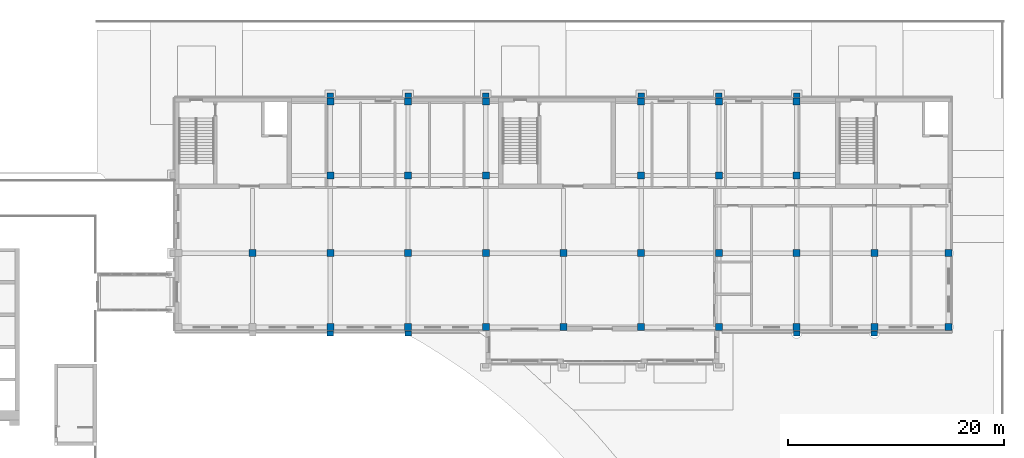
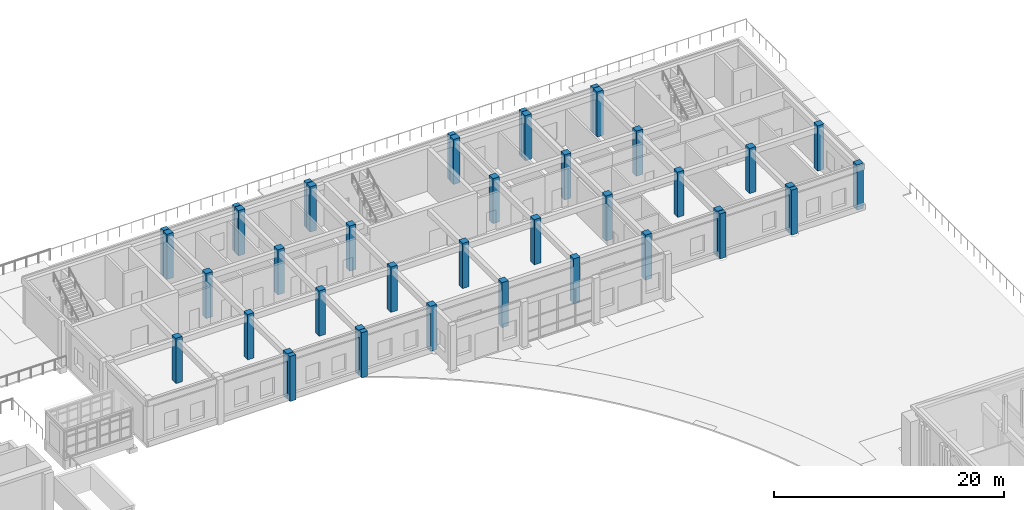
# One storey, part 31 of 131: 41 columns.
"""IFC4 building model written with IfcOpenShell, lengths in metres."""

from ifc_helpers import new_model, si_unit, direction, frame, origin, origin_2d, place, context, subcontext, project, spatial, rectangle, extrude, material, material_profile, profile_set, type_object, element, save


model = new_model("IFC4")

# Units and contexts
model_context = context("Model", 3, precision=1e-05, world=origin(), true_north=direction((0.0, 1.0)))
body_context = subcontext(model_context, "Body", "Model", "MODEL_VIEW")
ifc_project = project(units=[si_unit("LENGTHUNIT", "METRE"), si_unit("AREAUNIT", "SQUARE_METRE"), si_unit("VOLUMEUNIT", "CUBIC_METRE"), si_unit("PLANEANGLEUNIT", "RADIAN"), si_unit("MASSUNIT", "GRAM", prefix="KILO")], contexts=[model_context])

# Site, building, storey
site_placement = place(None, origin())
site = spatial("IfcSite", under=ifc_project, at=site_placement, CompositionType="ELEMENT")
building_placement = place(site_placement, origin())
building = spatial("IfcBuilding", under=site, at=building_placement, Name="Alderwick Market Hall", CompositionType="ELEMENT")
storey_placement = place(building_placement, frame((0.0, 0.0, 4.800048828125)))
storey = spatial("IfcBuildingStorey", under=building, at=storey_placement, Name="L00", CompositionType="ELEMENT", Elevation=4.800048828125)

# Columns
ifc_material = material(Name="Concrete 5000 psi (f'c 35 MPa)", Category="concrete")
ifc_material_profile_1 = material_profile(ifc_material, rectangle(XDim=0.64990234375, YDim=0.64990234375, at=origin_2d()), Name="RC 650x650")
ifc_profile_set_1 = profile_set([ifc_material_profile_1], Name="Concrete 5000 psi (f'c 35 MPa)")
column_type_1 = type_object("IfcColumnType", Name="F Column RC 650x650", PredefinedType="COLUMN", material=ifc_profile_set_1)
for number, where, z_axis, x_axis, name in (
    (1, (172.800048828125, 129.949951171875, 0.0), (0.0, 0.0, 1.0), (1.0, 0.0, 0.0), "F.col.L00.03"),
    (2, (180.0, 129.949951171875, 0.0), (0.0, 0.0, 1.0), (1.0, 0.0, 0.0), "F.col.L00.04"),
    (3, (187.199951171875, 129.949951171875, 0.0), (0.0, 0.0, 1.0), (1.0, 0.0, 0.0), "F.col.L00.05"),
    (4, (194.39990234375, 129.949951171875, 0.0), (0.0, 0.0, 1.0), (1.0, 0.0, 0.0), "F.col.L00.06"),
    (5, (201.60009765625, 129.949951171875, 0.0), (0.0, 0.0, 1.0), (1.0, 0.0, 0.0), "F.col.L00.07"),
    (6, (208.800048828125, 129.949951171875, 0.0), (0.0, 0.0, 1.0), (1.0, 0.0, 0.0), "F.col.L00.08"),
    (7, (216.0, 129.949951171875, 0.0), (0.0, 0.0, 1.0), (1.0, 0.0, 0.0), "F.col.L00.09"),
    (8, (223.199951171875, 129.949951171875, 0.0), (0.0, 0.0, 1.0), (1.0, 0.0, 0.0), "F.col.L00.10"),
    (9, (230.050048828125, 129.949951171875, 0.0), (0.0, 0.0, 1.0), (1.0, 0.0, 0.0), "F.col.L00.11"),
    (10, (165.60009765625, 136.800048828125, 0.0), (0.0, 0.0, 1.0), (1.0, 0.0, 0.0), "F.col.L00.13"),
    (11, (172.800048828125, 136.800048828125, 0.0), (0.0, 0.0, 1.0), (1.0, 0.0, 0.0), "F.col.L00.14"),
    (12, (180.0, 136.800048828125, 0.0), (0.0, 0.0, 1.0), (1.0, 0.0, 0.0), "F.col.L00.15"),
    (13, (187.199951171875, 136.800048828125, 0.0), (0.0, 0.0, 1.0), (1.0, 0.0, 0.0), "F.col.L00.16"),
    (14, (194.39990234375, 136.800048828125, 0.0), (0.0, 0.0, 1.0), (1.0, 0.0, 0.0), "F.col.L00.17"),
    (15, (201.60009765625, 136.800048828125, 0.0), (0.0, 0.0, 1.0), (1.0, 0.0, 0.0), "F.col.L00.18"),
    (16, (208.800048828125, 136.800048828125, 0.0), (0.0, 0.0, 1.0), (1.0, 0.0, 0.0), "F.col.L00.19"),
    (17, (216.0, 136.800048828125, 0.0), (0.0, 0.0, 1.0), (1.0, 0.0, 0.0), "F.col.L00.20"),
    (18, (223.199951171875, 136.800048828125, 0.0), (0.0, 0.0, 1.0), (1.0, 0.0, 0.0), "F.col.L00.21"),
    (19, (230.050048828125, 136.800048828125, 0.0), (0.0, 0.0, 1.0), (1.0, 0.0, 0.0), "F.col.L00.22"),
    (20, (172.800048828125, 144.0, 0.0), (0.0, 0.0, 1.0), (1.0, 0.0, 0.0), "F.col.L00.23"),
    (21, (180.0, 144.0, 0.0), (0.0, 0.0, 1.0), (1.0, 0.0, 0.0), "F.col.L00.24"),
    (22, (187.199951171875, 144.0, 0.0), (0.0, 0.0, 1.0), (1.0, 0.0, 0.0), "F.col.L00.25"),
    (23, (201.60009765625, 144.0, 0.0), (0.0, 0.0, 1.0), (1.0, 0.0, 0.0), "F.col.L00.26"),
    (24, (208.800048828125, 144.0, 0.0), (0.0, 0.0, 1.0), (1.0, 0.0, 0.0), "F.col.L00.27"),
    (25, (216.0, 144.0, 0.0), (0.0, 0.0, 1.0), (1.0, 0.0, 0.0), "F.col.L00.28"),
    (26, (172.800048828125, 150.85009765625, 0.0), (0.0, 0.0, 1.0), (1.0, 0.0, 0.0), "F.col.L00.29"),
    (27, (180.0, 150.85009765625, 0.0), (0.0, 0.0, 1.0), (1.0, 0.0, 0.0), "F.col.L00.30"),
    (28, (187.199951171875, 150.85009765625, 0.0), (0.0, 0.0, 1.0), (1.0, 0.0, 0.0), "F.col.L00.31"),
    (29, (201.60009765625, 150.85009765625, 0.0), (0.0, 0.0, 1.0), (1.0, 0.0, 0.0), "F.col.L00.32"),
    (30, (208.800048828125, 150.85009765625, 0.0), (0.0, 0.0, 1.0), (1.0, 0.0, 0.0), "F.col.L00.33"),
    (31, (216.0, 150.85009765625, 0.0), (0.0, 0.0, 1.0), (1.0, 0.0, 0.0), "F.col.L00.34"),
):
    element("IfcColumn", number, at=place(storey_placement, frame(where, z_axis=z_axis, x_axis=x_axis)), inside=storey, type_object=column_type_1, Name=name, PredefinedType="COLUMN", context=body_context, shape_type="SweptSolid", body=[
        extrude(rectangle(XDim=0.64990234375, YDim=0.64990234375, at=origin_2d()), origin(), (0.0, 0.0, 1.0), 4.800048828125),
    ])
ifc_material_profile_2 = material_profile(ifc_material, rectangle(XDim=0.60009765625, YDim=0.449951171875, at=origin_2d()), Name="PC 600x450")
ifc_profile_set_2 = profile_set([ifc_material_profile_2], Name="Concrete 5000 psi (f'c 35 MPa)")
column_type_2 = type_object("IfcColumnType", Name="F Pilaster Precast Concrete 600x450", PredefinedType="PILASTER", material=ifc_profile_set_2)
for number, where, z_axis, x_axis, name in (
    (32, (172.800048828125, 129.375, 0.0), (0.0, 0.0, 1.0), (1.0, 0.0, 0.0), "F.pilaster.L00.006"),
    (33, (180.0, 129.375, 0.0), (0.0, 0.0, 1.0), (1.0, 0.0, 0.0), "F.pilaster.L00.010"),
    (34, (216.0, 129.375, 0.0), (0.0, 0.0, 1.0), (1.0, 0.0, 0.0), "F.pilaster.L00.014"),
    (35, (223.199951171875, 129.375, 0.0), (0.0, 0.0, 1.0), (1.0, 0.0, 0.0), "F.pilaster.L00.018"),
    (36, (172.800048828125, 151.425048828125, 0.0), (0.0, 0.0, 1.0), (1.0, 0.0, 0.0), "F.pilaster.L00.021"),
    (37, (180.0, 151.425048828125, 0.0), (0.0, 0.0, 1.0), (1.0, 0.0, 0.0), "F.pilaster.L00.024"),
    (38, (187.199951171875, 151.425048828125, 0.0), (0.0, 0.0, 1.0), (1.0, 0.0, 0.0), "F.pilaster.L00.027"),
    (39, (201.60009765625, 151.425048828125, 0.0), (0.0, 0.0, 1.0), (1.0, 0.0, 0.0), "F.pilaster.L00.030"),
    (40, (208.800048828125, 151.425048828125, 0.0), (0.0, 0.0, 1.0), (1.0, 0.0, 0.0), "F.pilaster.L00.033"),
    (41, (216.0, 151.425048828125, 0.0), (0.0, 0.0, 1.0), (1.0, 0.0, 0.0), "F.pilaster.L00.036"),
):
    element("IfcColumn", number, at=place(storey_placement, frame(where, z_axis=z_axis, x_axis=x_axis)), inside=storey, type_object=column_type_2, Name=name, PredefinedType="PILASTER", context=body_context, shape_type="SweptSolid", body=[
        extrude(rectangle(XDim=0.60009765625, YDim=0.449951171875, at=origin_2d()), origin(), (0.0, 0.0, 1.0), 4.800048828125),
    ])

save(model, "model.ifc")
